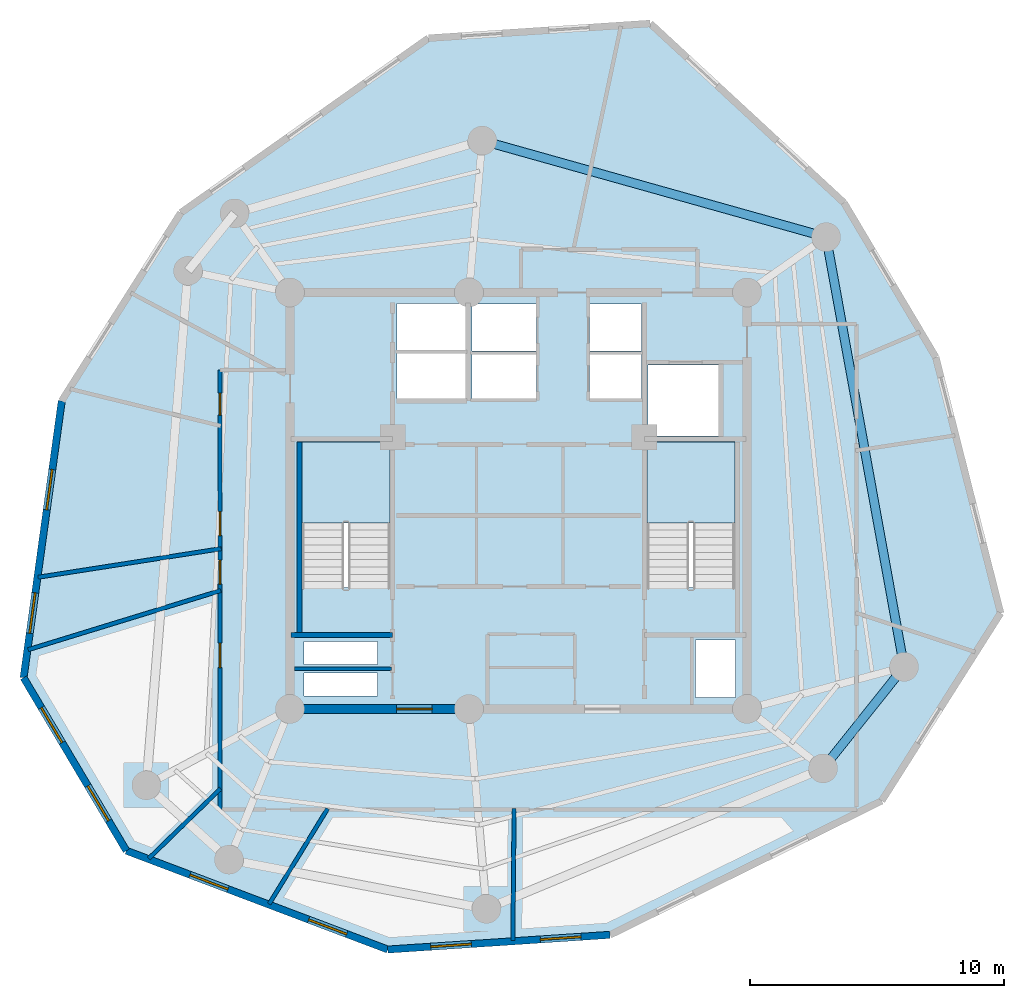
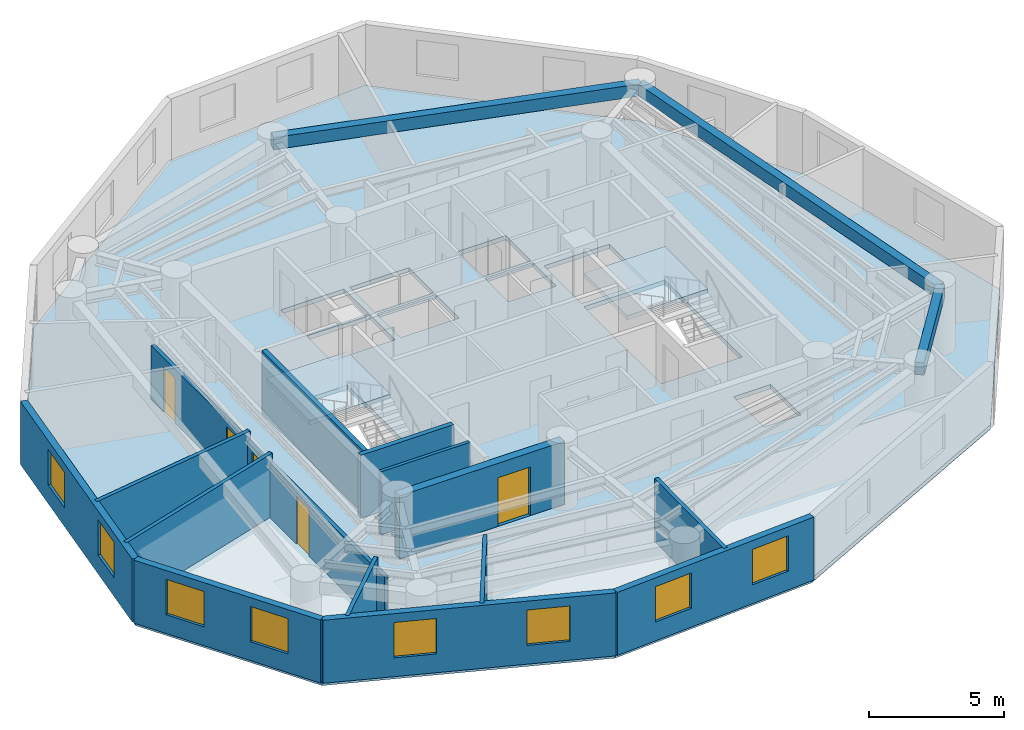
# One storey, part 2 of 6: 14 walls, 8 windows, 5 doors, 3 beams, 3 slabs, 13 openings, 2 elements without a shape of their own.
"""IFC4 building model written with IfcOpenShell, lengths in metres."""

from ifc_helpers import new_model, si_unit, direction, frame, frame_2d, origin, origin_with_axes, origin_2d, place, context, subcontext, project, spatial, polyline, rectangle, outline, extrude, source, transform, mapped, material, layer, layer_set, material_profile, profile_set, type_object, element, fill, aggregate, save


model = new_model("IFC4")

# Units and contexts
model_context = context("Model", 3, precision=1e-05, world=origin(), true_north=direction((0.0, 1.0)))
body_context = subcontext(model_context, "Body", "Model", "MODEL_VIEW")
ifc_project = project(units=[si_unit("LENGTHUNIT", "METRE"), si_unit("AREAUNIT", "SQUARE_METRE"), si_unit("VOLUMEUNIT", "CUBIC_METRE"), si_unit("PLANEANGLEUNIT", "RADIAN"), si_unit("MASSUNIT", "GRAM", prefix="KILO")], contexts=[model_context])

# Site, building, storey
site_placement = place(None, origin())
site = spatial("IfcSite", under=ifc_project, at=site_placement, CompositionType="ELEMENT")
building_placement = place(site_placement, origin())
building = spatial("IfcBuilding", under=site, at=building_placement, Name="Karkom Vertical University and Central Library", CompositionType="ELEMENT")
storey_placement = place(building_placement, frame((0.0, 0.0, 262.64990234375)))
storey = spatial("IfcBuildingStorey", under=building, at=storey_placement, Name="L78", CompositionType="ELEMENT", Elevation=262.64990234375)

# Beams
ifc_material_1 = material(Name="Precast concrete C45/55", Category="concrete")
ifc_material_profile = material_profile(ifc_material_1, rectangle(XDim=0.35009765625, YDim=0.550048828125, at=origin_2d()), Name="SPB-350x550")
ifc_profile_set = profile_set([ifc_material_profile], Name="Precast concrete C45/55")
beam_type = type_object("IfcBeamType", Name="STR-BM-SP-2", PredefinedType="SPANDREL", material=ifc_profile_set)
shared_shape_1 = source(origin_with_axes(), body_context, "Body", "SweptSolid", [
    extrude(rectangle(XDim=0.35009765625, YDim=0.550048828125, at=origin_2d()), origin(), (0.0, 0.0, 1.0), 17.19970703125),
])
beam_1_placement = place(storey_placement, frame((43.681884765625, 19.9560546875, 2.5751953125), z_axis=(-0.178423249727, 0.983953832228, 0.0), x_axis=(-0.983953832228, -0.178423249727, 0.0)))
element("IfcBeam", 1, at=beam_1_placement, inside=storey, type_object=beam_type, Name="Level 78 Perimeter Spandrel Beam 01", PredefinedType="SPANDREL", context=body_context, shape_type="MappedRepresentation", body=[
    mapped(shared_shape_1, transform((0.0, 0.0, 0.0), scale=1.0)),
])
shared_shape_2 = source(origin_with_axes(), body_context, "Body", "SweptSolid", [
    extrude(rectangle(XDim=0.35009765625, YDim=0.550048828125, at=origin_2d()), origin(), (0.0, 0.0, 1.0), 14.0625),
])
beam_2_placement = place(storey_placement, frame((40.613037109375, 36.8798828125, 2.5751953125), z_axis=(-0.962854853531, 0.270019501207, 0.0), x_axis=(-0.270019501207, -0.962854853531, 0.0)))
element("IfcBeam", 2, at=beam_2_placement, inside=storey, type_object=beam_type, Name="Level 78 Perimeter Spandrel Beam 02", PredefinedType="SPANDREL", context=body_context, shape_type="MappedRepresentation", body=[
    mapped(shared_shape_2, transform((0.0, 0.0, 0.0), scale=1.0)),
])
shared_shape_3 = source(origin_with_axes(), body_context, "Body", "SweptSolid", [
    extrude(rectangle(XDim=0.35009765625, YDim=0.550048828125, at=origin_2d()), origin(), (0.0, 0.0, 1.0), 5.112060546875),
])
beam_3_placement = place(storey_placement, frame((40.493896484375, 15.9599609375, 2.5751953125), z_axis=(0.623634459503, 0.78171609995, 0.0), x_axis=(-0.78171609995, 0.623634459503, 0.0)))
element("IfcBeam", 3, at=beam_3_placement, inside=storey, type_object=beam_type, Name="Level 78 Perimeter Spandrel Beam 09", PredefinedType="SPANDREL", context=body_context, shape_type="MappedRepresentation", body=[
    mapped(shared_shape_3, transform((0.0, 0.0, 0.0), scale=1.0)),
])

# Stair, slab
ifc_material_2 = material(Name="Concrete C45/55", Category="concrete")
stair_type = type_object("IfcStairType", Name="INT-STR-ST-MAIN", PredefinedType="HALF_TURN_STAIR", material=ifc_material_2)
stair_1_placement = place(storey_placement, origin())
stair_1 = element("IfcStair", 4, at=stair_1_placement, inside=storey, type_object=stair_type, Name="Level 78 Tower Protected Exit Stair ST-1", PredefinedType="HALF_TURN_STAIR")
ifc_layer_1 = layer(ifc_material_2, 0.199951171875)
ifc_layer_set_1 = layer_set([ifc_layer_1], Name="Concrete C45/55")
slab_type_1 = type_object("IfcSlabType", Name="INT-SLB-LANDING", PredefinedType="LANDING", material=ifc_layer_set_1)
slab_1_placement = place(storey_placement, frame((0.0, 0.0, 1.3251953125)))
slab_1 = element("IfcSlab", 5, at=slab_1_placement, type_object=slab_type_1, Name="ST-1 landing 1", PredefinedType="LANDING", context=body_context, shape_type="SweptSolid", body=[
    extrude(outline(polyline([(23.43994140625, 25.6298828125), (23.43994140625, 28.820068359375), (19.97998046875, 28.820068359375), (19.97998046875, 25.6298828125), (23.43994140625, 25.6298828125)])), origin(), (0.0, 0.0, 1.0), 0.199951171875),
])
aggregate(stair_1, [slab_1])

stair_2_placement = place(storey_placement, origin())
stair_2 = element("IfcStair", 6, at=stair_2_placement, inside=storey, type_object=stair_type, Name="Level 78 Tower Protected Exit Stair ST-2", PredefinedType="HALF_TURN_STAIR")
slab_2_placement = place(storey_placement, frame((0.0, 0.0, 1.3251953125)))
slab_2 = element("IfcSlab", 7, at=slab_2_placement, type_object=slab_type_1, Name="ST-2 landing 1", PredefinedType="LANDING", context=body_context, shape_type="SweptSolid", body=[
    extrude(outline(polyline([(37.02001953125, 25.6298828125), (37.02001953125, 28.820068359375), (33.56005859375, 28.820068359375), (33.56005859375, 25.6298828125), (37.02001953125, 25.6298828125)])), origin(), (0.0, 0.0, 1.0), 0.199951171875),
])
aggregate(stair_2, [slab_2])

# Slab
ifc_material_3 = material(Name="Concrete C40/50", Category="concrete")
ifc_layer_2 = layer(ifc_material_3, 0.199951171875)
ifc_layer_set_2 = layer_set([ifc_layer_2], Name="Concrete C40/50")
slab_type_2 = type_object("IfcSlabType", Name="STR-SLB-FLR-200", PredefinedType="FLOOR", material=ifc_layer_set_2)
slab_3_placement = place(storey_placement, frame((0.0, 0.0, -0.199951171875)))
element("IfcSlab", 8, at=slab_3_placement, inside=storey, type_object=slab_type_2, Name="Level 78 Tower Structural Floor Slab", PredefinedType="FLOOR", context=body_context, shape_type="SweptSolid", body=[
    extrude(outline(polyline([(9.01318359375, 19.530517578125), (13.062255859375, 12.716552734375), (23.3525390625, 8.826171875), (32.10107421875, 9.40478515625), (42.79931640625, 14.683837890625), (47.47998046875, 22.0751953125), (44.928955078125, 32.146728515625), (41.31396484375, 38.230224609375), (33.6875, 45.285888671875), (24.957763671875, 44.708251953125), (15.206787109375, 37.835693359375), (10.515869140625, 30.428466796875), (9.01318359375, 19.530517578125)]), holes=[polyline([(19.97998046875, 23.0849609375), (23.43994140625, 23.0849609375), (23.43994140625, 28.820068359375), (19.97998046875, 28.820068359375), (19.97998046875, 23.0849609375)]), polyline([(33.56005859375, 23.0849609375), (37.02001953125, 23.0849609375), (37.02001953125, 28.820068359375), (33.56005859375, 28.820068359375), (33.56005859375, 23.0849609375)]), polyline([(26.679931640625, 30.5), (29.199951171875, 30.5), (29.199951171875, 32.25), (26.679931640625, 32.25), (26.679931640625, 30.5)]), polyline([(26.679931640625, 32.39990234375), (29.199951171875, 32.39990234375), (29.199951171875, 34.25), (26.679931640625, 34.25), (26.679931640625, 32.39990234375)]), polyline([(31.300048828125, 30.5), (33.35009765625, 30.5), (33.35009765625, 32.25), (31.300048828125, 32.25), (31.300048828125, 30.5)]), polyline([(31.300048828125, 32.39990234375), (33.35009765625, 32.39990234375), (33.35009765625, 34.25), (31.300048828125, 34.25), (31.300048828125, 32.39990234375)]), polyline([(23.719970703125, 30.47998046875), (26.429931640625, 30.47998046875), (26.429931640625, 32.320068359375), (23.719970703125, 32.320068359375), (23.719970703125, 30.47998046875)]), polyline([(23.719970703125, 32.419921875), (26.429931640625, 32.419921875), (26.429931640625, 34.260009765625), (23.719970703125, 34.260009765625), (23.719970703125, 32.419921875)]), polyline([(33.60009765625, 29.050048828125), (36.39990234375, 29.050048828125), (36.39990234375, 31.85009765625), (33.60009765625, 31.85009765625), (33.60009765625, 29.050048828125)]), polyline([(20.050048828125, 18.820068359375), (22.949951171875, 18.820068359375), (22.949951171875, 19.719970703125), (20.050048828125, 19.719970703125), (20.050048828125, 18.820068359375)]), polyline([(20.050048828125, 20.06005859375), (22.949951171875, 20.06005859375), (22.949951171875, 20.9599609375), (20.050048828125, 20.9599609375), (20.050048828125, 20.06005859375)]), polyline([(35.4599609375, 18.760009765625), (37.0400390625, 18.760009765625), (37.0400390625, 21.010009765625), (35.4599609375, 21.010009765625), (35.4599609375, 18.760009765625)])]), origin(), (0.0, 0.0, 1.0), 0.199951171875),
])

# Wall, openings, windows
ifc_material_4 = material(Name="Brick-faced precast concrete C45/55", Category="masonry")
ifc_layer_3 = layer(ifc_material_4, 0.280029296875)
ifc_layer_set_3 = layer_set([ifc_layer_3], Name="Brick-faced precast concrete C45/55")
wall_type_1 = type_object("IfcWallType", Name="ENV-WL-BRK-280", PredefinedType="SOLIDWALL", material=ifc_layer_set_3)
wall_1_placement = place(storey_placement, frame((9.01318359375, 19.530517578125, 0.0), z_axis=(0.0, 0.0, 1.0), x_axis=(0.510844736395, -0.859672993235, 0.0)))
wall_1 = element("IfcWall", 9, at=wall_1_placement, inside=storey, type_object=wall_type_1, Name="Level 78 Brick-Faced Precast Facade Wall 01", PredefinedType="SOLIDWALL", context=body_context, shape_type="SweptSolid", body=[
    extrude(rectangle(XDim=7.92626953125, YDim=0.280029296875, at=frame_2d((3.963134765625, 0.0))), origin(), (0.0, 0.0, 1.0), 2.85009765625),
])
opening_1_placement = place(wall_1_placement, frame((1.37158203125, 0.0, 0.85009765625)))
opening_1 = element("IfcOpeningElement", 10, at=opening_1_placement, cuts=wall_1, Name="Opening WN-10", PredefinedType="OPENING", context=body_context, shape_type="SweptSolid", body=[
    extrude(rectangle(XDim=1.60009765625, YDim=1.60009765625, at=frame_2d((0.800048828125, 0.800048828125))), frame((0.0, 0.14990234375, 0.0), z_axis=(0.0, -1.0, 0.0), x_axis=(1.0, 0.0, 0.0)), (0.0, 0.0, 1.0), 0.300048828125),
])
opening_2_placement = place(wall_1_placement, frame((4.95458984375, 0.0, 0.85009765625)))
opening_2 = element("IfcOpeningElement", 11, at=opening_2_placement, cuts=wall_1, Name="Opening WN-10", PredefinedType="OPENING", context=body_context, shape_type="SweptSolid", body=[
    extrude(rectangle(XDim=1.60009765625, YDim=1.60009765625, at=frame_2d((0.800048828125, 0.800048828125))), frame((0.0, 0.14990234375, 0.0), z_axis=(0.0, -1.0, 0.0), x_axis=(1.0, 0.0, 0.0)), (0.0, 0.0, 1.0), 0.300048828125),
])
ifc_material_5 = material(Name="Aluminium thermal-break frame with solar-control IGU", Category="aluminium")
window_type = type_object("IfcWindowType", Name="ENV-WIN-WN-10", PartitioningType="SINGLE_PANEL", PredefinedType="WINDOW", material=ifc_material_5)
shared_shape_4 = source(origin_with_axes(), body_context, "Body", "SweptSolid", [
    extrude(rectangle(XDim=1.60009765625, YDim=1.60009765625, at=frame_2d((0.800048828125, 0.800048828125))), frame((0.0, 0.030029296875, 0.0), z_axis=(0.0, -1.0, 0.0), x_axis=(1.0, 0.0, 0.0)), (0.0, 0.0, 1.0), 0.06005859375),
])
window_1_placement = place(opening_1_placement, origin())
window_1 = element("IfcWindow", 12, at=window_1_placement, inside=storey, type_object=window_type, Name="Level 78 Punched Window 1.1", OverallHeight=1.60009765625, OverallWidth=1.60009765625, PartitioningType="SINGLE_PANEL", PredefinedType="WINDOW", context=body_context, shape_type="MappedRepresentation", body=[
    mapped(shared_shape_4, transform((0.0, 0.0, 0.0), scale=1.0)),
])
fill(opening_1, window_1)
window_2_placement = place(opening_2_placement, origin())
window_2 = element("IfcWindow", 13, at=window_2_placement, inside=storey, type_object=window_type, Name="Level 78 Punched Window 1.2", OverallHeight=1.60009765625, OverallWidth=1.60009765625, PartitioningType="SINGLE_PANEL", PredefinedType="WINDOW", context=body_context, shape_type="MappedRepresentation", body=[
    mapped(shared_shape_4, transform((0.0, 0.0, 0.0), scale=1.0)),
])
fill(opening_2, window_2)

wall_2_placement = place(storey_placement, frame((13.062255859375, 12.716552734375, 0.0), z_axis=(0.0, 0.0, 1.0), x_axis=(0.935383697979, -0.353634468844, 0.0)))
wall_2 = element("IfcWall", 14, at=wall_2_placement, inside=storey, type_object=wall_type_1, Name="Level 78 Brick-Faced Precast Facade Wall 02", PredefinedType="SOLIDWALL", context=body_context, shape_type="SweptSolid", body=[
    extrude(rectangle(XDim=11.001220703125, YDim=0.280029296875, at=frame_2d((5.50048828125, 0.0))), origin(), (0.0, 0.0, 1.0), 2.85009765625),
])
opening_3_placement = place(wall_2_placement, frame((2.6767578125, 0.0, 0.85009765625)))
opening_3 = element("IfcOpeningElement", 15, at=opening_3_placement, cuts=wall_2, Name="Opening WN-10", PredefinedType="OPENING", context=body_context, shape_type="SweptSolid", body=[
    extrude(rectangle(XDim=1.60009765625, YDim=1.60009765625, at=frame_2d((0.800048828125, 0.800048828125))), frame((0.0, 0.14990234375, 0.0), z_axis=(0.0, -1.0, 0.0), x_axis=(1.0, 0.0, 0.0)), (0.0, 0.0, 1.0), 0.300048828125),
])
opening_4_placement = place(wall_2_placement, frame((7.673095703125, 0.0, 0.85009765625)))
opening_4 = element("IfcOpeningElement", 16, at=opening_4_placement, cuts=wall_2, Name="Opening WN-10", PredefinedType="OPENING", context=body_context, shape_type="SweptSolid", body=[
    extrude(rectangle(XDim=1.60009765625, YDim=1.60009765625, at=frame_2d((0.800048828125, 0.800048828125))), frame((0.0, 0.14990234375, 0.0), z_axis=(0.0, -1.0, 0.0), x_axis=(1.0, 0.0, 0.0)), (0.0, 0.0, 1.0), 0.300048828125),
])
window_3_placement = place(opening_3_placement, origin())
window_3 = element("IfcWindow", 17, at=window_3_placement, inside=storey, type_object=window_type, Name="Level 78 Punched Window 2.1", OverallHeight=1.60009765625, OverallWidth=1.60009765625, PartitioningType="SINGLE_PANEL", PredefinedType="WINDOW", context=body_context, shape_type="MappedRepresentation", body=[
    mapped(shared_shape_4, transform((0.0, 0.0, 0.0), scale=1.0)),
])
fill(opening_3, window_3)
window_4_placement = place(opening_4_placement, origin())
window_4 = element("IfcWindow", 18, at=window_4_placement, inside=storey, type_object=window_type, Name="Level 78 Punched Window 2.2", OverallHeight=1.60009765625, OverallWidth=1.60009765625, PartitioningType="SINGLE_PANEL", PredefinedType="WINDOW", context=body_context, shape_type="MappedRepresentation", body=[
    mapped(shared_shape_4, transform((0.0, 0.0, 0.0), scale=1.0)),
])
fill(opening_4, window_4)

wall_3_placement = place(storey_placement, frame((23.3525390625, 8.826171875, 0.0), z_axis=(0.0, 0.0, 1.0), x_axis=(0.997820011646, 0.06599412367, 0.0)))
wall_3 = element("IfcWall", 19, at=wall_3_placement, inside=storey, type_object=wall_type_1, Name="Level 78 Brick-Faced Precast Facade Wall 03", PredefinedType="SOLIDWALL", context=body_context, shape_type="SweptSolid", body=[
    extrude(rectangle(XDim=8.767578125, YDim=0.280029296875, at=frame_2d((4.3837890625, 0.0))), origin(), (0.0, 0.0, 1.0), 2.85009765625),
])
opening_5_placement = place(wall_3_placement, frame((1.70068359375, 0.0, 0.85009765625)))
opening_5 = element("IfcOpeningElement", 20, at=opening_5_placement, cuts=wall_3, Name="Opening WN-10", PredefinedType="OPENING", context=body_context, shape_type="SweptSolid", body=[
    extrude(rectangle(XDim=1.60009765625, YDim=1.60009765625, at=frame_2d((0.800048828125, 0.800048828125))), frame((0.0, 0.14990234375, 0.0), z_axis=(0.0, -1.0, 0.0), x_axis=(1.0, 0.0, 0.0)), (0.0, 0.0, 1.0), 0.300048828125),
])
opening_6_placement = place(wall_3_placement, frame((6.0244140625, 0.0, 0.85009765625)))
opening_6 = element("IfcOpeningElement", 21, at=opening_6_placement, cuts=wall_3, Name="Opening WN-10", PredefinedType="OPENING", context=body_context, shape_type="SweptSolid", body=[
    extrude(rectangle(XDim=1.60009765625, YDim=1.60009765625, at=frame_2d((0.800048828125, 0.800048828125))), frame((0.0, 0.14990234375, 0.0), z_axis=(0.0, -1.0, 0.0), x_axis=(1.0, 0.0, 0.0)), (0.0, 0.0, 1.0), 0.300048828125),
])
window_5_placement = place(opening_5_placement, origin())
window_5 = element("IfcWindow", 22, at=window_5_placement, inside=storey, type_object=window_type, Name="Level 78 Punched Window 3.1", OverallHeight=1.60009765625, OverallWidth=1.60009765625, PartitioningType="SINGLE_PANEL", PredefinedType="WINDOW", context=body_context, shape_type="MappedRepresentation", body=[
    mapped(shared_shape_4, transform((0.0, 0.0, 0.0), scale=1.0)),
])
fill(opening_5, window_5)
window_6_placement = place(opening_6_placement, origin())
window_6 = element("IfcWindow", 23, at=window_6_placement, inside=storey, type_object=window_type, Name="Level 78 Punched Window 3.2", OverallHeight=1.60009765625, OverallWidth=1.60009765625, PartitioningType="SINGLE_PANEL", PredefinedType="WINDOW", context=body_context, shape_type="MappedRepresentation", body=[
    mapped(shared_shape_4, transform((0.0, 0.0, 0.0), scale=1.0)),
])
fill(opening_6, window_6)

wall_4_placement = place(storey_placement, frame((10.515869140625, 30.428466796875, 0.0), z_axis=(0.0, 0.0, 1.0), x_axis=(-0.136594591716, -0.990627032497, 0.0)))
wall_4 = element("IfcWall", 24, at=wall_4_placement, inside=storey, type_object=wall_type_1, Name="Level 78 Brick-Faced Precast Facade Wall 12", PredefinedType="SOLIDWALL", context=body_context, shape_type="SweptSolid", body=[
    extrude(rectangle(XDim=11.0009765625, YDim=0.280029296875, at=frame_2d((5.50048828125, 0.0))), origin(), (0.0, 0.0, 1.0), 2.85009765625),
])
opening_7_placement = place(wall_4_placement, frame((2.727294921875, 0.0, 0.85009765625)))
opening_7 = element("IfcOpeningElement", 25, at=opening_7_placement, cuts=wall_4, Name="Opening WN-10", PredefinedType="OPENING", context=body_context, shape_type="SweptSolid", body=[
    extrude(rectangle(XDim=1.60009765625, YDim=1.60009765625, at=frame_2d((0.800048828125, 0.800048828125))), frame((0.0, 0.14990234375, 0.0), z_axis=(0.0, -1.0, 0.0), x_axis=(1.0, 0.0, 0.0)), (0.0, 0.0, 1.0), 0.300048828125),
])
opening_8_placement = place(wall_4_placement, frame((7.631103515625, 0.0, 0.85009765625)))
opening_8 = element("IfcOpeningElement", 26, at=opening_8_placement, cuts=wall_4, Name="Opening WN-10", PredefinedType="OPENING", context=body_context, shape_type="SweptSolid", body=[
    extrude(rectangle(XDim=1.60009765625, YDim=1.60009765625, at=frame_2d((0.800048828125, 0.800048828125))), frame((0.0, 0.14990234375, 0.0), z_axis=(0.0, -1.0, 0.0), x_axis=(1.0, 0.0, 0.0)), (0.0, 0.0, 1.0), 0.300048828125),
])
window_7_placement = place(opening_7_placement, origin())
window_7 = element("IfcWindow", 27, at=window_7_placement, inside=storey, type_object=window_type, Name="Level 78 Punched Window 12.1", OverallHeight=1.60009765625, OverallWidth=1.60009765625, PartitioningType="SINGLE_PANEL", PredefinedType="WINDOW", context=body_context, shape_type="MappedRepresentation", body=[
    mapped(shared_shape_4, transform((0.0, 0.0, 0.0), scale=1.0)),
])
fill(opening_7, window_7)
window_8_placement = place(opening_8_placement, origin())
window_8 = element("IfcWindow", 28, at=window_8_placement, inside=storey, type_object=window_type, Name="Level 78 Punched Window 12.2", OverallHeight=1.60009765625, OverallWidth=1.60009765625, PartitioningType="SINGLE_PANEL", PredefinedType="WINDOW", context=body_context, shape_type="MappedRepresentation", body=[
    mapped(shared_shape_4, transform((0.0, 0.0, 0.0), scale=1.0)),
])
fill(opening_8, window_8)

# Wall, openings, doors
ifc_material_6 = material(Name="Insulated metal-stud drywall 160mm", Category="gypsum")
ifc_layer_4 = layer(ifc_material_6, 0.159912109375)
ifc_layer_set_4 = layer_set([ifc_layer_4], Name="Insulated metal-stud drywall 160mm")
wall_type_2 = type_object("IfcWallType", Name="INT-WL-COR-160", PredefinedType="PARTITIONING", material=ifc_layer_set_4)
wall_5_placement = place(storey_placement, frame((16.75, 14.35009765625, 0.0), z_axis=(0.0, 0.0, 1.0), x_axis=(0.0, 1.0, 0.0)))
wall_5 = element("IfcWall", 29, at=wall_5_placement, inside=storey, type_object=wall_type_2, Name="Level 78 Interior Partition Wall L78-CORW-CW-002", PredefinedType="PARTITIONING", context=body_context, shape_type="SweptSolid", body=[
    extrude(rectangle(XDim=17.2998046875, YDim=0.159912109375, at=frame_2d((8.64990234375, 0.0))), origin(), (0.0, 0.0, 1.0), 2.4501953125),
])
opening_9_placement = place(wall_5_placement, frame((8.864990234375, 0.0, 0.0)))
opening_9 = element("IfcOpeningElement", 30, at=opening_9_placement, cuts=wall_5, Name="Opening D-RM1", PredefinedType="OPENING", context=body_context, shape_type="SweptSolid", body=[
    extrude(rectangle(XDim=0.949951171875, YDim=2.14990234375, at=frame_2d((0.47509765625, 1.074951171875))), frame((0.0, 0.08984375, 0.0), z_axis=(0.0, -1.0, 0.0), x_axis=(1.0, 0.0, 0.0)), (0.0, 0.0, 1.0), 0.179931640625),
])
opening_10_placement = place(wall_5_placement, frame((5.580078125, 0.0, 0.0)))
opening_10 = element("IfcOpeningElement", 31, at=opening_10_placement, cuts=wall_5, Name="Opening FD-RM2", PredefinedType="OPENING", context=body_context, shape_type="SweptSolid", body=[
    extrude(rectangle(XDim=0.9599609375, YDim=2.14990234375, at=frame_2d((0.47998046875, 1.074951171875))), frame((0.0, 0.08984375, 0.0), z_axis=(0.0, -1.0, 0.0), x_axis=(1.0, 0.0, 0.0)), (0.0, 0.0, 1.0), 0.179931640625),
])
opening_11_placement = place(wall_5_placement, frame((10.77001953125, 0.0, 0.0)))
opening_11 = element("IfcOpeningElement", 32, at=opening_11_placement, cuts=wall_5, Name="Opening D-RM1", PredefinedType="OPENING", context=body_context, shape_type="SweptSolid", body=[
    extrude(rectangle(XDim=0.949951171875, YDim=2.14990234375, at=frame_2d((0.47509765625, 1.074951171875))), frame((0.0, 0.08984375, 0.0), z_axis=(0.0, -1.0, 0.0), x_axis=(1.0, 0.0, 0.0)), (0.0, 0.0, 1.0), 0.179931640625),
])
opening_12_placement = place(wall_5_placement, frame((15.52294921875, 0.0, 0.0)))
opening_12 = element("IfcOpeningElement", 33, at=opening_12_placement, cuts=wall_5, Name="Opening FD-BTH2", PredefinedType="OPENING", context=body_context, shape_type="SweptSolid", body=[
    extrude(rectangle(XDim=0.860107421875, YDim=2.0400390625, at=frame_2d((0.43017578125, 1.02001953125))), frame((0.0, 0.08984375, 0.0), z_axis=(0.0, -1.0, 0.0), x_axis=(1.0, 0.0, 0.0)), (0.0, 0.0, 1.0), 0.179931640625),
])
ifc_material_7 = material(Name="Fire-rated oak veneer door", Category="wood")
door_type_1 = type_object("IfcDoorType", Name="INT-DR-FRM2", OperationType="NOTDEFINED", PredefinedType="DOOR", material=ifc_material_7)
shared_shape_5 = source(origin_with_axes(), body_context, "Body", "SweptSolid", [
    extrude(rectangle(XDim=0.9599609375, YDim=2.14990234375, at=frame_2d((0.47998046875, 1.074951171875))), frame((0.0, 0.02490234375, 0.0), z_axis=(0.0, -1.0, 0.0), x_axis=(1.0, 0.0, 0.0)), (0.0, 0.0, 1.0), 0.050048828125),
])
door_1_placement = place(opening_10_placement, origin())
door_1 = element("IfcDoor", 34, at=door_1_placement, inside=storey, type_object=door_type_1, Name="Level 78 Room Entry Door 010", OperationType="SINGLE_SWING_LEFT", OverallHeight=2.14990234375, OverallWidth=0.9599609375, PredefinedType="DOOR", context=body_context, shape_type="MappedRepresentation", body=[
    mapped(shared_shape_5, transform((0.0, 0.0, 0.0), scale=1.0)),
])
fill(opening_10, door_1)
ifc_material_8 = material(Name="Fire-rated moisture-resistant oak door", Category="wood")
door_type_2 = type_object("IfcDoorType", Name="INT-DR-FBTH2", OperationType="NOTDEFINED", PredefinedType="DOOR", material=ifc_material_8)
shared_shape_6 = source(origin_with_axes(), body_context, "Body", "SweptSolid", [
    extrude(rectangle(XDim=0.860107421875, YDim=2.0400390625, at=frame_2d((0.43017578125, 1.02001953125))), frame((0.0, 0.02490234375, 0.0), z_axis=(0.0, -1.0, 0.0), x_axis=(1.0, 0.0, 0.0)), (0.0, 0.0, 1.0), 0.050048828125),
])
door_2_placement = place(opening_12_placement, origin())
door_2 = element("IfcDoor", 35, at=door_2_placement, inside=storey, type_object=door_type_2, Name="Level 78 Departmental Reference Reading Library Entry Door", OperationType="SINGLE_SWING_LEFT", OverallHeight=2.0400390625, OverallWidth=0.860107421875, PredefinedType="DOOR", context=body_context, shape_type="MappedRepresentation", body=[
    mapped(shared_shape_6, transform((0.0, 0.0, 0.0), scale=1.0)),
])
fill(opening_12, door_2)
ifc_material_9 = material(Name="Solid-core oak veneer door", Category="wood")
door_type_3 = type_object("IfcDoorType", Name="INT-DR-RM1", OperationType="NOTDEFINED", PredefinedType="DOOR", material=ifc_material_9)
shared_shape_7 = source(origin_with_axes(), body_context, "Body", "SweptSolid", [
    extrude(rectangle(XDim=0.949951171875, YDim=2.14990234375, at=frame_2d((0.47509765625, 1.074951171875))), frame((0.0, 0.02490234375, 0.0), z_axis=(0.0, -1.0, 0.0), x_axis=(1.0, 0.0, 0.0)), (0.0, 0.0, 1.0), 0.050048828125),
])
door_3_placement = place(opening_9_placement, origin())
door_3 = element("IfcDoor", 36, at=door_3_placement, inside=storey, type_object=door_type_3, Name="Level 78 Room Entry Door 000", OperationType="SINGLE_SWING_RIGHT", OverallHeight=2.14990234375, OverallWidth=0.949951171875, PredefinedType="DOOR", context=body_context, shape_type="MappedRepresentation", body=[
    mapped(shared_shape_7, transform((0.0, 0.0, 0.0), scale=1.0)),
])
fill(opening_9, door_3)
door_4_placement = place(opening_11_placement, origin())
door_4 = element("IfcDoor", 37, at=door_4_placement, inside=storey, type_object=door_type_3, Name="Level 78 Room Entry Door 110", OperationType="SINGLE_SWING_RIGHT", OverallHeight=2.14990234375, OverallWidth=0.949951171875, PredefinedType="DOOR", context=body_context, shape_type="MappedRepresentation", body=[
    mapped(shared_shape_7, transform((0.0, 0.0, 0.0), scale=1.0)),
])
fill(opening_11, door_4)

# Walls
wall_6_placement = place(storey_placement, frame((16.77880859375, 22.962890625, 0.0), z_axis=(0.0, 0.0, 1.0), x_axis=(-0.955923312873, -0.293616450332, 0.0)))
element("IfcWall", 38, at=wall_6_placement, inside=storey, type_object=wall_type_2, Name="Level 78 Interior Partition Wall L78-PW-001", PredefinedType="PARTITIONING", context=body_context, shape_type="SweptSolid", body=[
    extrude(rectangle(XDim=7.931640625, YDim=0.159912109375, at=frame_2d((3.9658203125, 0.0))), origin(), (0.0, 0.0, 1.0), 2.85009765625),
])
wall_7_placement = place(storey_placement, frame((9.586669921875, 23.485595703125, 0.0), z_axis=(0.0, 0.0, 1.0), x_axis=(0.988027979501, 0.154274792897, 0.0)))
element("IfcWall", 39, at=wall_7_placement, inside=storey, type_object=wall_type_2, Name="Level 78 Interior Partition Wall L78-PW-002", PredefinedType="PARTITIONING", context=body_context, shape_type="SweptSolid", body=[
    extrude(rectangle(XDim=7.29541015625, YDim=0.159912109375, at=frame_2d((3.647705078125, 0.0))), origin(), (0.0, 0.0, 1.0), 2.85009765625),
])
wall_8_placement = place(storey_placement, frame((28.327392578125, 14.3798828125, 0.0), z_axis=(0.0, 0.0, 1.0), x_axis=(-0.009337931662, -0.999956400566, 0.0)))
element("IfcWall", 40, at=wall_8_placement, inside=storey, type_object=wall_type_2, Name="Level 78 Interior Partition Wall L78-PW-005", PredefinedType="PARTITIONING", context=body_context, shape_type="SweptSolid", body=[
    extrude(rectangle(XDim=5.202880859375, YDim=0.159912109375, at=frame_2d((2.6015625, 0.0))), origin(), (0.0, 0.0, 1.0), 2.85009765625),
])
wall_9_placement = place(storey_placement, frame((20.98779296875, 14.37548828125, 0.0), z_axis=(0.0, 0.0, 1.0), x_axis=(-0.52315433161, -0.852237962847, 0.0)))
element("IfcWall", 41, at=wall_9_placement, inside=storey, type_object=wall_type_2, Name="Level 78 Interior Partition Wall L78-PW-004", PredefinedType="PARTITIONING", context=body_context, shape_type="SweptSolid", body=[
    extrude(rectangle(XDim=4.40673828125, YDim=0.159912109375, at=frame_2d((2.203369140625, 0.0))), origin(), (0.0, 0.0, 1.0), 2.85009765625),
])
wall_10_placement = place(storey_placement, frame((16.771484375, 15.165283203125, 0.0), z_axis=(0.0, 0.0, 1.0), x_axis=(-0.716518431259, -0.697568159871, 0.0)))
element("IfcWall", 42, at=wall_10_placement, inside=storey, type_object=wall_type_2, Name="Level 78 Interior Partition Wall L78-PW-003", PredefinedType="PARTITIONING", context=body_context, shape_type="SweptSolid", body=[
    extrude(rectangle(XDim=3.9423828125, YDim=0.159912109375, at=frame_2d((1.97119140625, 0.0))), origin(), (0.0, 0.0, 1.0), 2.85009765625),
])
ifc_material_10 = material(Name="Metal-stud gypsum partition 140mm", Category="gypsum")
ifc_layer_5 = layer(ifc_material_10, 0.139892578125)
ifc_layer_set_5 = layer_set([ifc_layer_5], Name="Metal-stud gypsum partition 140mm")
wall_type_3 = type_object("IfcWallType", Name="INT-WL-SUB-140H", PredefinedType="PARTITIONING", material=ifc_layer_set_5)
wall_11_placement = place(storey_placement, frame((19.681884765625, 19.889892578125, 0.0), z_axis=(0.0, 0.0, 1.0), x_axis=(1.0, 0.0, 0.0)))
element("IfcWall", 43, at=wall_11_placement, inside=storey, type_object=wall_type_3, Name="Level 78 Interior Partition Wall L78-CW-RIS-W", PredefinedType="PARTITIONING", context=body_context, shape_type="SweptSolid", body=[
    extrude(rectangle(XDim=3.8154296875, YDim=0.139892578125, at=frame_2d((1.90771484375, 0.0))), origin(), (0.0, 0.0, 1.0), 2.85009765625),
])

# Wall, opening, door
ifc_layer_6 = layer(ifc_material_2, 0.35009765625)
ifc_layer_set_6 = layer_set([ifc_layer_6], Name="Concrete C45/55")
wall_type_4 = type_object("IfcWallType", Name="STR-WL-CW-350", PredefinedType="SHEAR", material=ifc_layer_set_6)
wall_12_placement = place(storey_placement, frame((19.5, 18.300048828125, 0.0), z_axis=(0.0, 0.0, 1.0), x_axis=(1.0, 0.0, 0.0)))
wall_12 = element("IfcWall", 44, at=wall_12_placement, inside=storey, type_object=wall_type_4, Name="Level 78 Central Core Shear Wall SW1", PredefinedType="SHEAR", context=body_context, shape_type="SweptSolid", body=[
    extrude(rectangle(XDim=7.050048828125, YDim=0.35009765625, at=frame_2d((3.52490234375, 0.0))), origin(), (0.0, 0.0, 1.0), 2.85009765625),
])
opening_13_placement = place(wall_12_placement, frame((4.199951171875, 0.0, 0.0)))
opening_13 = element("IfcOpeningElement", 45, at=opening_13_placement, cuts=wall_12, Name="Opening FD-CLB", PredefinedType="OPENING", context=body_context, shape_type="SweptSolid", body=[
    extrude(rectangle(XDim=1.39990234375, YDim=2.199951171875, at=frame_2d((0.699951171875, 1.10009765625))), frame((0.0, 0.18505859375, 0.0), z_axis=(0.0, -1.0, 0.0), x_axis=(1.0, 0.0, 0.0)), (0.0, 0.0, 1.0), 0.3701171875),
])
ifc_material_11 = material(Name="Painted steel fire door", Category="steel")
door_type_4 = type_object("IfcDoorType", Name="INT-DR-CLB", OperationType="DOUBLE_DOOR_SINGLE_SWING", PredefinedType="DOOR", material=ifc_material_11)
shared_shape_8 = source(origin_with_axes(), body_context, "Body", "SweptSolid", [
    extrude(rectangle(XDim=1.39990234375, YDim=2.199951171875, at=frame_2d((0.699951171875, 1.10009765625))), frame((0.0, 0.02490234375, 0.0), z_axis=(0.0, -1.0, 0.0), x_axis=(1.0, 0.0, 0.0)), (0.0, 0.0, 1.0), 0.050048828125),
])
door_5_placement = place(opening_13_placement, origin())
door_5 = element("IfcDoor", 46, at=door_5_placement, inside=storey, type_object=door_type_4, Name="Level 78 South Core Lobby West Exit Door", OperationType="DOUBLE_DOOR_SINGLE_SWING", OverallHeight=2.199951171875, OverallWidth=1.39990234375, PredefinedType="DOOR", context=body_context, shape_type="MappedRepresentation", body=[
    mapped(shared_shape_8, transform((0.0, 0.0, 0.0), scale=1.0)),
])
fill(opening_13, door_5)

# Walls
ifc_layer_7 = layer(ifc_material_2, 0.199951171875)
ifc_layer_set_7 = layer_set([ifc_layer_7], Name="Concrete C45/55")
wall_type_5 = type_object("IfcWallType", Name="STR-WL-ST-200", PredefinedType="SHEAR", material=ifc_layer_set_7)
wall_13_placement = place(storey_placement, frame((19.875, 21.320068359375, 0.0), z_axis=(0.0, 0.0, 1.0), x_axis=(0.0, 1.0, 0.0)))
element("IfcWall", 47, at=wall_13_placement, inside=storey, type_object=wall_type_5, Name="Level 78 Core Shaft Wall L78-CW-ST1-W", PredefinedType="SHEAR", context=body_context, shape_type="SweptSolid", body=[
    extrude(rectangle(XDim=7.5, YDim=0.199951171875, at=frame_2d((3.75, 0.0))), origin(), (0.0, 0.0, 1.0), 2.85009765625),
])
wall_14_placement = place(storey_placement, frame((19.550048828125, 21.215087890625, 0.0), z_axis=(0.0, 0.0, 1.0), x_axis=(1.0, 0.0, 0.0)))
element("IfcWall", 48, at=wall_14_placement, inside=storey, type_object=wall_type_5, Name="Level 78 Core Shaft Wall L78-CW-ST1-S", PredefinedType="SHEAR", context=body_context, shape_type="SweptSolid", body=[
    extrude(rectangle(XDim=3.994873046875, YDim=0.199951171875, at=frame_2d((1.99755859375, 0.0))), origin(), (0.0, 0.0, 1.0), 2.85009765625),
])

save(model, "model.ifc")
